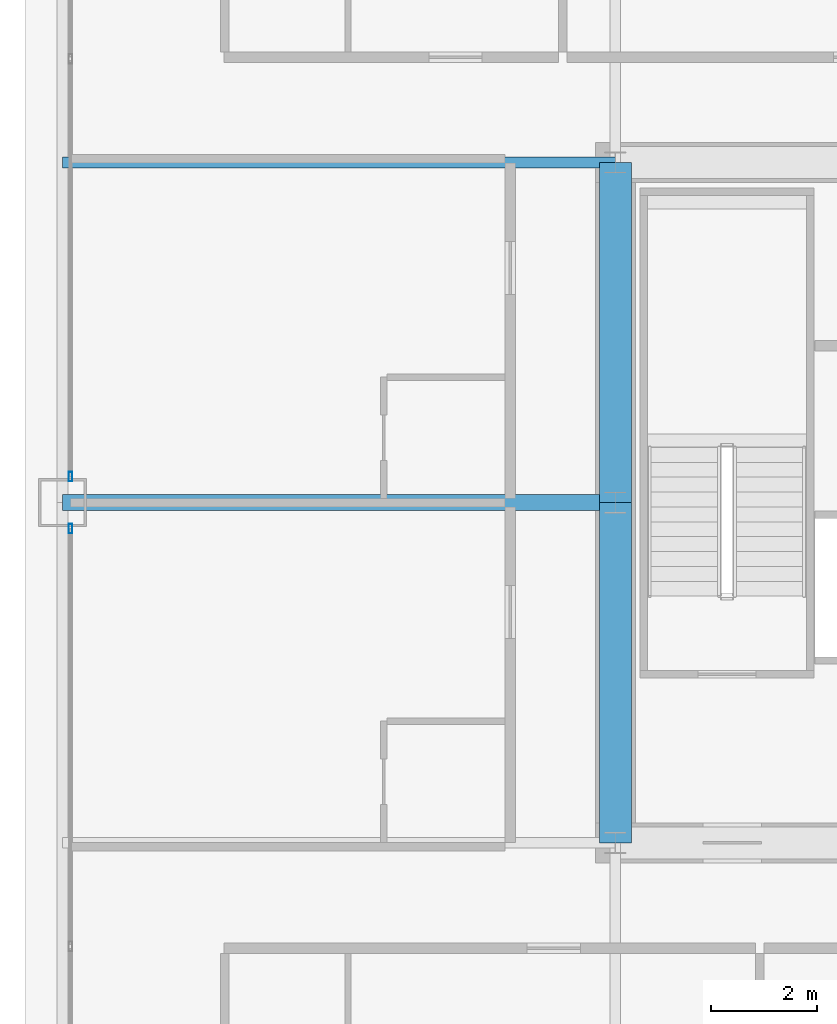
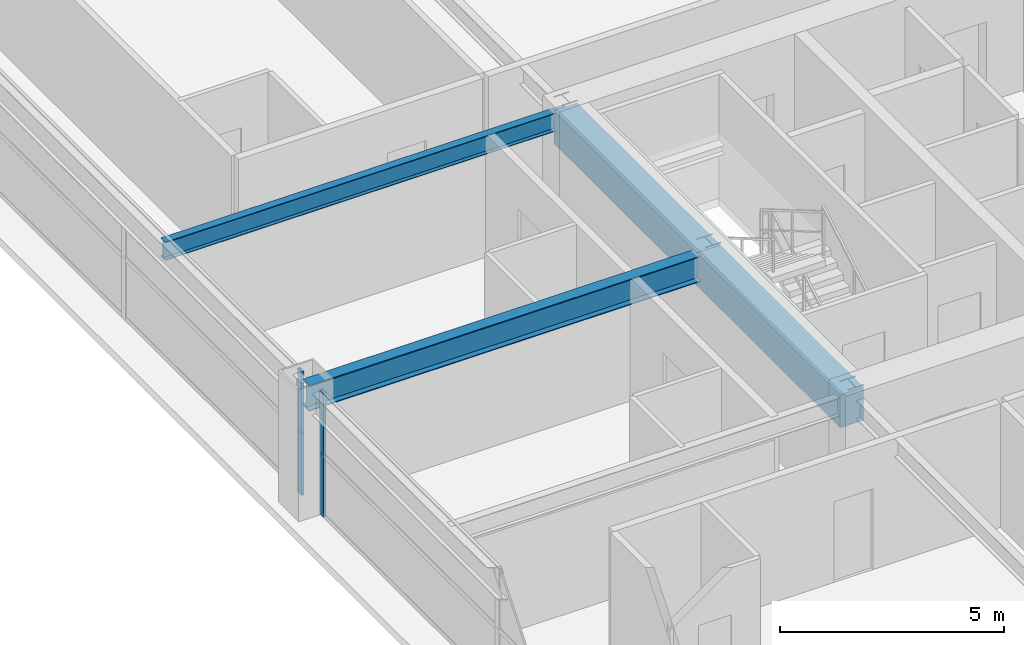
# One storey, part 12 of 39: 4 beams, 4 members, 2 elements without a shape of their own.
"""IFC4 building model written with IfcOpenShell, lengths in metres."""

from ifc_helpers import new_model, si_unit, direction, frame, origin, origin_2d, place, context, subcontext, project, spatial, rectangle, hollow_rectangle, i_section, extrude, source, transform, mapped, material, layer, layer_set, material_profile, profile_set, type_object, element, aggregate, save


model = new_model("IFC4")

# Units and contexts
model_context = context("Model", 3, precision=1e-05, world=origin(), true_north=direction((0.0, 1.0)))
body_context = subcontext(model_context, "Body", "Model", "MODEL_VIEW")
ifc_project = project(units=[si_unit("LENGTHUNIT", "METRE"), si_unit("AREAUNIT", "SQUARE_METRE"), si_unit("VOLUMEUNIT", "CUBIC_METRE"), si_unit("PLANEANGLEUNIT", "RADIAN"), si_unit("MASSUNIT", "GRAM", prefix="KILO"), si_unit("THERMODYNAMICTEMPERATUREUNIT", "KELVIN"), si_unit("POWERUNIT", "WATT")], contexts=[model_context])

# Site, building, storey
site_placement = place(None, origin())
site = spatial("IfcSite", under=ifc_project, at=site_placement, CompositionType="ELEMENT")
building_placement = place(site_placement, origin())
building = spatial("IfcBuilding", under=site, at=building_placement, Name="Yuzanri Waterfront Tower", CompositionType="ELEMENT")
storey_placement = place(building_placement, frame((0.0, 0.0, 141.60009765625)))
storey = spatial("IfcBuildingStorey", under=building, at=storey_placement, Name="L37", CompositionType="ELEMENT", Elevation=141.60009765625)

# Beams
ifc_material_1 = material(Name="Concrete C60", Category="concrete")
ifc_material_profile_1 = material_profile(ifc_material_1, rectangle(XDim=0.60009765625, YDim=0.89990234375, at=origin_2d()), Name="RC 600x900")
ifc_profile_set_1 = profile_set([ifc_material_profile_1], Name="Concrete C60")
beam_type_1 = type_object("IfcBeamType", Name="Core Coupling Lintel Concrete C60 600x900", PredefinedType="LINTEL", material=ifc_profile_set_1)
shared_shape_1 = source(origin(), body_context, "Body", "SweptSolid", [
    extrude(rectangle(XDim=0.60009765625, YDim=0.89990234375, at=origin_2d()), origin(), (0.0, 0.0, 1.0), 6.400146484375),
])
beam_1_placement = place(storey_placement, frame((23.800048828125, 19.39990234375, 2.929931640625), z_axis=(0.0, 1.0, 0.0), x_axis=(-1.0, 0.0, 0.0)))
element("IfcBeam", 1, at=beam_1_placement, inside=storey, type_object=beam_type_1, Name="L37 Core Tie Beam CW1", PredefinedType="LINTEL", context=body_context, shape_type="MappedRepresentation", body=[
    mapped(shared_shape_1, transform((0.0, 0.0, 0.0), scale=1.0)),
])
shared_shape_2 = source(origin(), body_context, "Body", "SweptSolid", [
    extrude(rectangle(XDim=0.60009765625, YDim=0.89990234375, at=origin_2d()), origin(), (0.0, 0.0, 1.0), 6.39990234375),
])
beam_2_placement = place(storey_placement, frame((23.800048828125, 25.800048828125, 2.929931640625), z_axis=(0.0, 1.0, 0.0), x_axis=(-1.0, 0.0, 0.0)))
element("IfcBeam", 2, at=beam_2_placement, inside=storey, type_object=beam_type_1, Name="L37 Core Tie Beam CW2", PredefinedType="LINTEL", context=body_context, shape_type="MappedRepresentation", body=[
    mapped(shared_shape_2, transform((0.0, 0.0, 0.0), scale=1.0)),
])
ifc_material_2 = material(Name="Steel Q355B", Category="steel")
ifc_material_profile_2 = material_profile(ifc_material_2, i_section(OverallWidth=0.300048828125, OverallDepth=0.699951171875, WebThickness=0.012939453125, FlangeThickness=0.02392578125, at=origin_2d()), Name="HN 700x300x13x24")
ifc_profile_set_2 = profile_set([ifc_material_profile_2], Name="Steel Q355B")
beam_type_2 = type_object("IfcBeamType", Name="Primary Floor Girder Q355B HN 700x300", PredefinedType="BEAM", material=ifc_profile_set_2)
shared_shape_3 = source(origin(), body_context, "Body", "SweptSolid", [
    extrude(i_section(OverallWidth=0.300048828125, OverallDepth=0.699951171875, WebThickness=0.012939453125, FlangeThickness=0.02392578125, at=origin_2d()), origin(), (0.0, 0.0, 1.0), 10.400146484375),
])
beam_3_placement = place(storey_placement, frame((23.800048828125, 25.800048828125, 3.02978515625), z_axis=(-1.0, 0.0, 0.0), x_axis=(0.0, -1.0, 0.0)))
element("IfcBeam", 3, at=beam_3_placement, inside=storey, type_object=beam_type_2, Name="L37 West Grid Girder", PredefinedType="BEAM", context=body_context, shape_type="MappedRepresentation", body=[
    mapped(shared_shape_3, transform((0.0, 0.0, 0.0), scale=1.0)),
])
ifc_material_3 = material(Name="Steel Q355B", Category="steel")
ifc_material_profile_3 = material_profile(ifc_material_3, i_section(OverallWidth=0.199951171875, OverallDepth=0.5, WebThickness=0.010009765625, FlangeThickness=0.01611328125, at=origin_2d()), Name="HN 500x200x10x16")
ifc_profile_set_3 = profile_set([ifc_material_profile_3], Name="Steel Q355B")
beam_type_3 = type_object("IfcBeamType", Name="Secondary Floor Beam Q355B HN 500x200", PredefinedType="BEAM", material=ifc_profile_set_3)
shared_shape_4 = source(origin(), body_context, "Body", "SweptSolid", [
    extrude(i_section(OverallWidth=0.199951171875, OverallDepth=0.5, WebThickness=0.010009765625, FlangeThickness=0.01611328125, at=origin_2d()), origin(), (0.0, 0.0, 1.0), 10.400146484375),
])
beam_4_placement = place(storey_placement, frame((23.800048828125, 32.199951171875, 3.1298828125), z_axis=(-1.0, 0.0, 0.0), x_axis=(0.0, -1.0, 0.0)))
element("IfcBeam", 4, at=beam_4_placement, inside=storey, type_object=beam_type_3, Name="L37 West-North Core Line Beam", PredefinedType="BEAM", context=body_context, shape_type="MappedRepresentation", body=[
    mapped(shared_shape_4, transform((0.0, 0.0, 0.0), scale=1.0)),
])

# Curtain wall, members
ifc_material_4 = material(Name="Anodized Architectural Bronze", Category="metal")
ifc_layer = layer(ifc_material_4, 0.159912109375)
ifc_layer_set = layer_set([ifc_layer], Name="Anodized Architectural Bronze")
curtain_wall_type = type_object("IfcCurtainWallType", Name="Anodized Bronze Hotel Upper-Tier Solar-Control Unitized Curtain Wall 7800", PredefinedType="NOTDEFINED", material=ifc_layer_set)
curtain_wall_1_placement = place(storey_placement, origin())
curtain_wall_1 = element("IfcCurtainWall", 5, at=curtain_wall_1_placement, inside=storey, type_object=curtain_wall_type, Name="L37 Curtain Wall CW-L37-WL", PredefinedType="NOTDEFINED")
ifc_material_5 = material(Name="Anodized Architectural Bronze", Category="metal")
ifc_material_profile_4 = material_profile(ifc_material_5, hollow_rectangle(XDim=0.070068359375, YDim=0.179931640625, WallThickness=0.00390625, at=origin_2d()), Name="CWM 70x180")
ifc_profile_set_4 = profile_set([ifc_material_profile_4], Name="Anodized Architectural Bronze")
member_type = type_object("IfcMemberType", Name="Anodized Bronze Standard Curtain-Wall Mullion 70x180", PredefinedType="MULLION", material=ifc_profile_set_4)
shared_shape_5 = source(origin(), body_context, "Body", "SweptSolid", [
    extrude(hollow_rectangle(XDim=0.070068359375, YDim=0.179931640625, WallThickness=0.00390625, at=origin_2d()), origin(), (0.0, 0.0, 1.0), 1.68798828125),
])
member_1_placement = place(storey_placement, frame((13.550048828125, 25.31005859375, 0.0), z_axis=(0.0, 0.0, 1.0), x_axis=(1.0, 0.0, 0.0)))
member_1 = element("IfcMember", 6, at=member_1_placement, type_object=member_type, Name="CW-L37-WL Lower Mullion 02", PredefinedType="MULLION", context=body_context, shape_type="MappedRepresentation", body=[
    mapped(shared_shape_5, transform((0.0, 0.0, 0.0), scale=1.0)),
])
member_2_placement = place(storey_placement, frame((13.550048828125, 25.31005859375, 1.69189453125), z_axis=(0.0, 0.0, 1.0), x_axis=(1.0, 0.0, 0.0)))
member_2 = element("IfcMember", 7, at=member_2_placement, type_object=member_type, Name="CW-L37-WL Upper Mullion 02", PredefinedType="MULLION", context=body_context, shape_type="MappedRepresentation", body=[
    mapped(shared_shape_5, transform((0.0, 0.0, 0.0), scale=1.0)),
])
aggregate(curtain_wall_1, [member_1, member_2])

curtain_wall_2_placement = place(storey_placement, origin())
curtain_wall_2 = element("IfcCurtainWall", 8, at=curtain_wall_2_placement, inside=storey, type_object=curtain_wall_type, Name="L37 Curtain Wall CW-L37-WR", PredefinedType="NOTDEFINED")
member_3_placement = place(storey_placement, frame((13.550048828125, 26.2900390625, 0.0), z_axis=(0.0, 0.0, 1.0), x_axis=(1.0, 0.0, 0.0)))
member_3 = element("IfcMember", 9, at=member_3_placement, type_object=member_type, Name="CW-L37-WR Lower Mullion 00", PredefinedType="MULLION", context=body_context, shape_type="MappedRepresentation", body=[
    mapped(shared_shape_5, transform((0.0, 0.0, 0.0), scale=1.0)),
])
member_4_placement = place(storey_placement, frame((13.550048828125, 26.2900390625, 1.69189453125), z_axis=(0.0, 0.0, 1.0), x_axis=(1.0, 0.0, 0.0)))
member_4 = element("IfcMember", 10, at=member_4_placement, type_object=member_type, Name="CW-L37-WR Upper Mullion 00", PredefinedType="MULLION", context=body_context, shape_type="MappedRepresentation", body=[
    mapped(shared_shape_5, transform((0.0, 0.0, 0.0), scale=1.0)),
])
aggregate(curtain_wall_2, [member_3, member_4])

save(model, "model.ifc")
